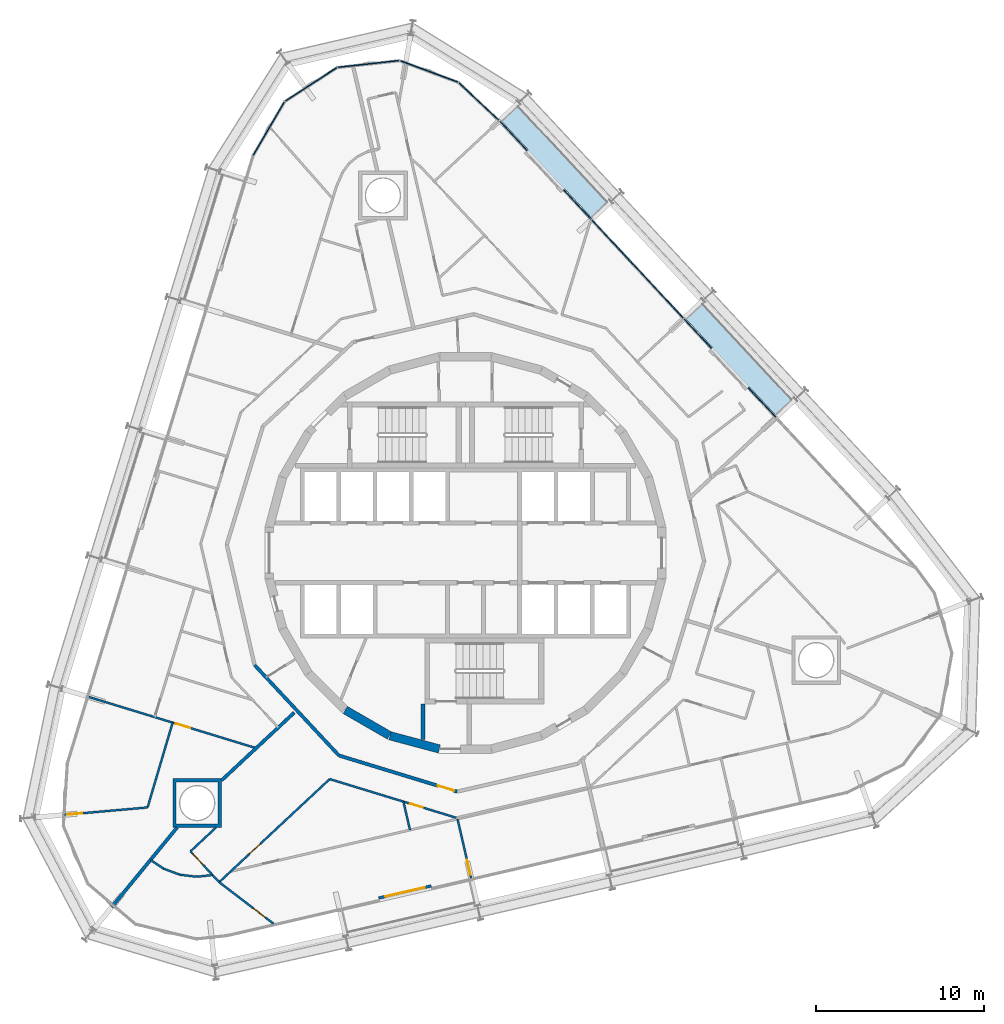
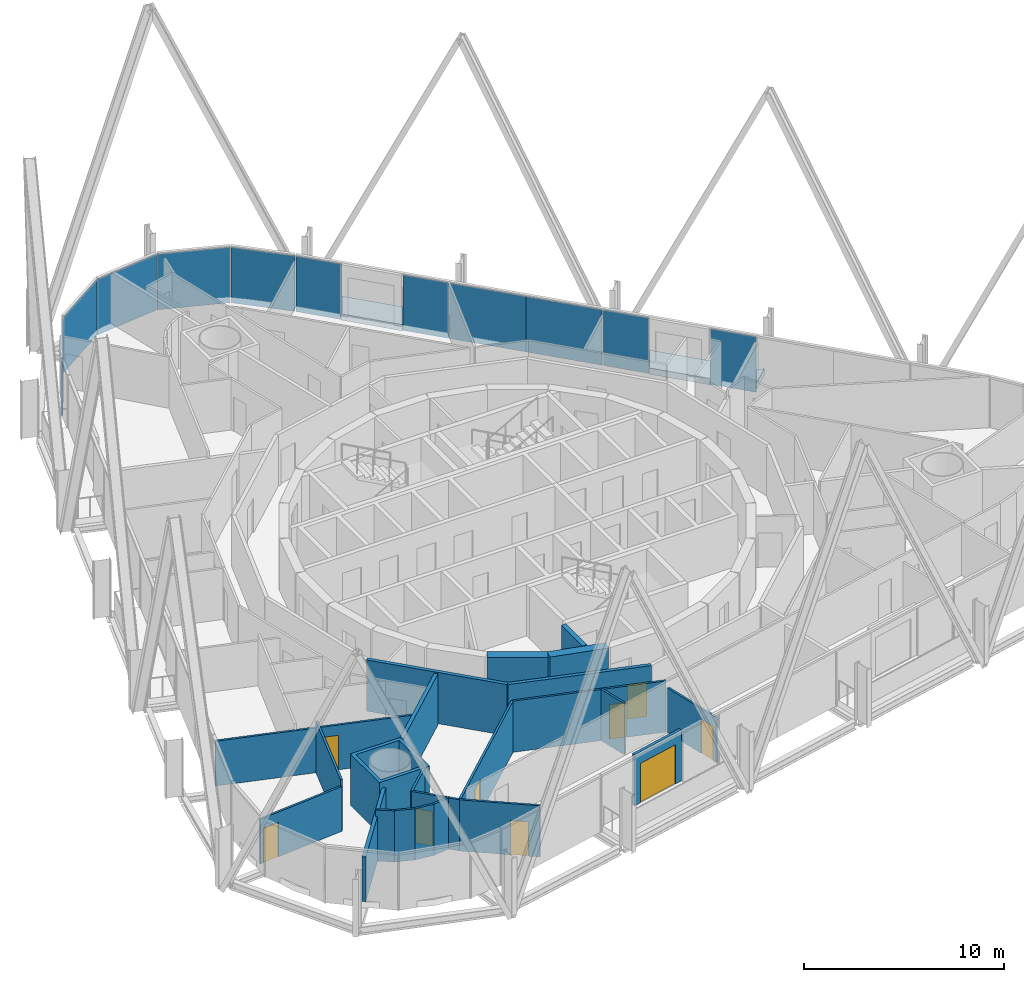
# One storey, part 11 of 18: 23 walls, 11 plates, 9 doors, 2 slabs, 9 openings, 2 elements without a shape of their own.
"""IFC4 building model written with IfcOpenShell, lengths in metres."""

from ifc_helpers import new_model, si_unit, direction, frame, frame_2d, origin, origin_2d, place, context, subcontext, project, spatial, polyline, rectangle, outline, extrude, material, layer, layer_set, type_object, element, fill, aggregate, save


model = new_model("IFC4")

# Units and contexts
model_context = context("Model", 3, precision=1e-05, world=origin(), true_north=direction((0.0, 1.0)))
body_context = subcontext(model_context, "Body", "Model", "MODEL_VIEW")
ifc_project = project(units=[si_unit("LENGTHUNIT", "METRE"), si_unit("AREAUNIT", "SQUARE_METRE"), si_unit("VOLUMEUNIT", "CUBIC_METRE"), si_unit("PLANEANGLEUNIT", "RADIAN"), si_unit("MASSUNIT", "GRAM", prefix="KILO")], contexts=[model_context])

# Site, building, storey
site_placement = place(None, origin())
site = spatial("IfcSite", under=ifc_project, at=site_placement, CompositionType="ELEMENT")
building_placement = place(site_placement, origin())
building = spatial("IfcBuilding", under=site, at=building_placement, Name="Spindle Arch Residences", CompositionType="ELEMENT")
storey_placement = place(building_placement, frame((0.0, 0.0, 127.39990234375)))
storey = spatial("IfcBuildingStorey", under=building, at=storey_placement, Name="L31", CompositionType="ELEMENT", Elevation=127.39990234375)

# Slabs
ifc_material_1 = material(Name="Concrete C40/50", Category="concrete")
ifc_layer_1 = layer(ifc_material_1, 0.3798828125)
ifc_layer_set_1 = layer_set([ifc_layer_1], Name="Balcony slab 380")
slab_type = type_object("IfcSlabType", Name="Balcony slab 380", PredefinedType="FLOOR", material=ifc_layer_set_1)
slab_1_placement = place(storey_placement, frame((0.0, 0.0, -0.3798828125)))
element("IfcSlab", 1, at=slab_1_placement, inside=storey, type_object=slab_type, Name="Balcony L31 bay 7", PredefinedType="FLOOR", context=body_context, shape_type="SweptSolid", body=[
    extrude(outline(polyline([(19.53466796875, 9.170166015625), (19.483642578125, 9.22509765625), (19.373779296875, 9.122802734375), (14.1025390625, 14.775634765625), (14.21240234375, 14.8779296875), (14.1611328125, 14.9326171875), (13.071533203125, 13.91650390625), (14.6669921875, 12.20556640625), (14.550048828125, 12.096435546875), (16.732421875, 9.756103515625), (16.849365234375, 9.865234375), (18.445068359375, 8.154052734375), (19.53466796875, 9.170166015625)])), origin(), (0.0, 0.0, 1.0), 0.3798828125),
])
slab_2_placement = place(storey_placement, frame((0.0, 0.0, -0.3798828125)))
element("IfcSlab", 2, at=slab_2_placement, inside=storey, type_object=slab_type, Name="Balcony L31 bay 9", PredefinedType="FLOOR", context=body_context, shape_type="SweptSolid", body=[
    extrude(outline(polyline([(8.5830078125, 20.91455078125), (8.53173828125, 20.969482421875), (8.422119140625, 20.8671875), (3.15087890625, 26.519775390625), (3.260498046875, 26.6220703125), (3.20947265625, 26.677001953125), (2.11962890625, 25.660888671875), (3.71533203125, 23.94970703125), (3.59814453125, 23.840576171875), (5.78076171875, 21.500244140625), (5.897705078125, 21.609375), (7.4931640625, 19.8984375), (8.5830078125, 20.91455078125)])), origin(), (0.0, 0.0, 1.0), 0.3798828125),
])

# Curtain wall, plates
ifc_material_2 = material(Name="Aluminium bronze unitised frame with tinted glass", Category="aluminium")
ifc_layer_2 = layer(ifc_material_2, 0.159912109375)
ifc_layer_set_2 = layer_set([ifc_layer_2], Name="CW-C typical residential unitised wall")
curtain_wall_type_1 = type_object("IfcCurtainWallType", Name="CW-C typical residential unitised wall", PredefinedType="NOTDEFINED", material=ifc_layer_set_2)
curtain_wall_1_placement = place(storey_placement, origin())
curtain_wall_1 = element("IfcCurtainWall", 3, at=curtain_wall_1_placement, inside=storey, type_object=curtain_wall_type_1, Name="CW-C L31 run 2", PredefinedType="NOTDEFINED")
ifc_material_3 = material(Name="Tinted double glazing over aluminium faced non-combustible spandrel zone (K0)", Category="aluminium")
ifc_layer_3 = layer(ifc_material_3, 0.06005859375)
ifc_layer_set_3 = layer_set([ifc_layer_3], Name="Unitised glass panel with E 60 spandrel zone")
plate_type = type_object("IfcPlateType", Name="Unitised glass panel with E 60 spandrel zone", PredefinedType="CURTAIN_PANEL", material=ifc_layer_set_3)
plate_1_placement = place(storey_placement, frame((17.60400390625, 8.9384765625, -0.3798828125), z_axis=(0.0, 0.0, 1.0), x_axis=(-0.681998360062, 0.731353701619, 0.0)))
plate_1 = element("IfcPlate", 4, at=plate_1_placement, type_object=plate_type, Name="CW-C unit 06L", PredefinedType="CURTAIN_PANEL", context=body_context, shape_type="SweptSolid", body=[
    extrude(rectangle(XDim=2.384521484375, YDim=0.06005859375, at=origin_2d()), origin(), (0.0, 0.0, 1.0), 3.3798828125),
])
plate_2_placement = place(storey_placement, frame((13.79541015625, 13.02294921875, -0.3798828125), z_axis=(0.0, 0.0, 1.0), x_axis=(-0.681998360062, 0.731353701619, 0.0)))
plate_2 = element("IfcPlate", 5, at=plate_2_placement, type_object=plate_type, Name="CW-C unit 06R", PredefinedType="CURTAIN_PANEL", context=body_context, shape_type="SweptSolid", body=[
    extrude(rectangle(XDim=2.384521484375, YDim=0.06005859375, at=origin_2d()), origin(), (0.0, 0.0, 1.0), 3.3798828125),
])
plate_3_placement = place(storey_placement, frame((11.58251953125, 15.395751953125, -0.3798828125), z_axis=(0.0, 0.0, 1.0), x_axis=(-0.681998360062, 0.731353701619, 0.0)))
plate_3 = element("IfcPlate", 6, at=plate_3_placement, type_object=plate_type, Name="CW-C unit 07A", PredefinedType="CURTAIN_PANEL", context=body_context, shape_type="SweptSolid", body=[
    extrude(rectangle(XDim=3.984619140625, YDim=0.06005859375, at=origin_2d()), origin(), (0.0, 0.0, 1.0), 3.3798828125),
])
plate_4_placement = place(storey_placement, frame((8.864990234375, 18.31005859375, -0.3798828125), z_axis=(0.0, 0.0, 1.0), x_axis=(-0.681998360062, 0.731353701619, 0.0)))
plate_4 = element("IfcPlate", 7, at=plate_4_placement, type_object=plate_type, Name="CW-C unit 07B", PredefinedType="CURTAIN_PANEL", context=body_context, shape_type="SweptSolid", body=[
    extrude(rectangle(XDim=3.984619140625, YDim=0.06005859375, at=origin_2d()), origin(), (0.0, 0.0, 1.0), 3.3798828125),
])
plate_5_placement = place(storey_placement, frame((6.65234375, 20.682861328125, -0.3798828125), z_axis=(0.0, 0.0, 1.0), x_axis=(-0.681998360062, 0.731353701619, 0.0)))
plate_5 = element("IfcPlate", 8, at=plate_5_placement, type_object=plate_type, Name="CW-C unit 08L", PredefinedType="CURTAIN_PANEL", context=body_context, shape_type="SweptSolid", body=[
    extrude(rectangle(XDim=2.384521484375, YDim=0.06005859375, at=origin_2d()), origin(), (0.0, 0.0, 1.0), 3.3798828125),
])
plate_6_placement = place(storey_placement, frame((2.84375, 24.767333984375, -0.3798828125), z_axis=(0.0, 0.0, 1.0), x_axis=(-0.681998360062, 0.731353701619, 0.0)))
plate_6 = element("IfcPlate", 9, at=plate_6_placement, type_object=plate_type, Name="CW-C unit 08R", PredefinedType="CURTAIN_PANEL", context=body_context, shape_type="SweptSolid", body=[
    extrude(rectangle(XDim=2.384521484375, YDim=0.06005859375, at=origin_2d()), origin(), (0.0, 0.0, 1.0), 3.3798828125),
])
aggregate(curtain_wall_1, [plate_1, plate_2, plate_3, plate_4, plate_5, plate_6])

ifc_material_4 = material(Name="Aluminium bronze unitised frame with tinted glass", Category="aluminium")
ifc_layer_4 = layer(ifc_material_4, 0.159912109375)
ifc_layer_set_4 = layer_set([ifc_layer_4], Name="CW-D corner wall on the fillet arcs")
curtain_wall_type_2 = type_object("IfcCurtainWallType", Name="CW-D corner wall on the fillet arcs", PredefinedType="NOTDEFINED", material=ifc_layer_set_4)
curtain_wall_2_placement = place(storey_placement, origin())
curtain_wall_2 = element("IfcCurtainWall", 10, at=curtain_wall_2_placement, inside=storey, type_object=curtain_wall_type_2, Name="CW-D L31 run 3", PredefinedType="NOTDEFINED")
plate_7_placement = place(storey_placement, frame((0.794677734375, 26.8046875, -0.3798828125), z_axis=(0.0, 0.0, 1.0), x_axis=(-0.728270412102, 0.685289870681, 0.0)))
plate_7 = element("IfcPlate", 11, at=plate_7_placement, type_object=plate_type, Name="CW-D unit 00", PredefinedType="CURTAIN_PANEL", context=body_context, shape_type="SweptSolid", body=[
    extrude(rectangle(XDim=3.277587890625, YDim=0.06005859375, at=origin_2d()), origin(), (0.0, 0.0, 1.0), 3.3798828125),
])
plate_8_placement = place(storey_placement, frame((-2.16796875, 28.595703125, -0.3798828125), z_axis=(0.0, 0.0, 1.0), x_axis=(-0.937686936403, 0.347481235896, 0.0)))
plate_8 = element("IfcPlate", 12, at=plate_8_placement, type_object=plate_type, Name="CW-D unit 01", PredefinedType="CURTAIN_PANEL", context=body_context, shape_type="SweptSolid", body=[
    extrude(rectangle(XDim=3.666748046875, YDim=0.06005859375, at=origin_2d()), origin(), (0.0, 0.0, 1.0), 3.3798828125),
])
plate_9_placement = place(storey_placement, frame((-5.76708984375, 29.037841796875, -0.3798828125), z_axis=(0.0, 0.0, 1.0), x_axis=(-0.993896946294, -0.110312556619, 0.0)))
plate_9 = element("IfcPlate", 13, at=plate_9_placement, type_object=plate_type, Name="CW-D unit 02", PredefinedType="CURTAIN_PANEL", context=body_context, shape_type="SweptSolid", body=[
    extrude(rectangle(XDim=3.666748046875, YDim=0.06005859375, at=origin_2d()), origin(), (0.0, 0.0, 1.0), 3.3798828125),
])
plate_10_placement = place(storey_placement, frame((-9.181884765625, 27.8173828125, -0.3798828125), z_axis=(0.0, 0.0, 1.0), x_axis=(-0.838670567755, -0.544639035308, 0.0)))
plate_10 = element("IfcPlate", 14, at=plate_10_placement, type_object=plate_type, Name="CW-D unit 03", PredefinedType="CURTAIN_PANEL", context=body_context, shape_type="SweptSolid", body=[
    extrude(rectangle(XDim=3.666748046875, YDim=0.06005859375, at=origin_2d()), origin(), (0.0, 0.0, 1.0), 3.3798828125),
])
plate_11_placement = place(storey_placement, frame((-11.685791015625, 25.194091796875, -0.3798828125), z_axis=(0.0, 0.0, 1.0), x_axis=(-0.505029844161, -0.863101880723, 0.0)))
plate_11 = element("IfcPlate", 15, at=plate_11_placement, type_object=plate_type, Name="CW-D unit 04", PredefinedType="CURTAIN_PANEL", context=body_context, shape_type="SweptSolid", body=[
    extrude(rectangle(XDim=3.666748046875, YDim=0.06005859375, at=origin_2d()), origin(), (0.0, 0.0, 1.0), 3.3798828125),
])
aggregate(curtain_wall_2, [plate_7, plate_8, plate_9, plate_10, plate_11])

# Walls
ifc_material_5 = material(Name="Concrete C50/60", Category="concrete")
ifc_layer_5 = layer(ifc_material_5, 0.5)
ifc_layer_set_5 = layer_set([ifc_layer_5], Name="Core outline wall 500")
wall_type_1 = type_object("IfcWallType", Name="Core outline wall 500", PredefinedType="SHEAR", material=ifc_layer_set_5)
for number, where, z_axis, x_axis, name in (
    (16, (-7.13671875, -9.32861328125, 0.0), (0.0, 0.0, 1.0), (0.865975092491, -0.500087131594, 0.0), "Core outline wall 22"),
    (17, (-4.479248046875, -10.858154296875, 0.0), (0.0, 0.0, 1.0), (0.965948410781, -0.258734743916, 0.0), "Core outline wall 23"),
):
    element("IfcWall", number, at=place(storey_placement, frame(where, z_axis=z_axis, x_axis=x_axis)), inside=storey, type_object=wall_type_1, Name=name, PredefinedType="SHEAR", context=body_context, shape_type="SweptSolid", body=[
        extrude(rectangle(XDim=3.03271484375, YDim=0.5, at=frame_2d((1.516357421875, 0.0))), origin(), (0.0, 0.0, 1.0), 3.1201171875),
    ])
ifc_material_6 = material(Name="Calcium silicate block, plastered")
ifc_layer_6 = layer(ifc_material_6, 0.199951171875)
ifc_layer_set_6 = layer_set([ifc_layer_6], Name="Corridor wall 200")
wall_type_2 = type_object("IfcWallType", Name="Corridor wall 200", PredefinedType="STANDARD", material=ifc_layer_set_6)
wall_1_placement = place(storey_placement, frame((-12.523193359375, -6.65869140625, 0.0), z_axis=(0.0, 0.0, 1.0), x_axis=(0.682001841105, -0.731350455479, 0.0)))
element("IfcWall", 18, at=wall_1_placement, inside=storey, type_object=wall_type_2, Name="Corridor wall R3B0-W012", PredefinedType="STANDARD", context=body_context, shape_type="SweptSolid", body=[
    extrude(rectangle(XDim=7.341796875, YDim=0.199951171875, at=frame_2d((3.6708984375, 0.0))), origin(), (0.0, 0.0, 1.0), 3.1201171875),
])

# Wall, opening, door
wall_2_placement = place(storey_placement, frame((-7.51611328125, -12.028076171875, 0.0), z_axis=(0.0, 0.0, 1.0), x_axis=(0.956306642771, -0.292365533182, 0.0)))
wall_2 = element("IfcWall", 19, at=wall_2_placement, inside=storey, type_object=wall_type_2, Name="Corridor wall R3B0-W013", PredefinedType="STANDARD", context=body_context, shape_type="SweptSolid", body=[
    extrude(rectangle(XDim=7.341796875, YDim=0.199951171875, at=frame_2d((3.6708984375, 0.0))), origin(), (0.0, 0.0, 1.0), 3.1201171875),
])
opening_1_placement = place(wall_2_placement, frame((6.141845703125, 0.0, 0.0)))
opening_1 = element("IfcOpeningElement", 20, at=opening_1_placement, cuts=wall_2, Name="Opening R3B0-FD04", PredefinedType="OPENING", context=body_context, shape_type="SweptSolid", body=[
    extrude(rectangle(XDim=1.0, YDim=2.10009765625, at=frame_2d((0.5, 1.050048828125))), frame((0.0, 0.10986328125, 0.0), z_axis=(0.0, -1.0, 0.0), x_axis=(1.0, 0.0, 0.0)), (0.0, 0.0, 1.0), 0.219970703125),
])
ifc_material_7 = material(Name="Timber, fire-resisting door set", Category="wood")
door_type_1 = type_object("IfcDoorType", Name="Flat entrance door 1000x2100", OperationType="NOTDEFINED", PredefinedType="DOOR", material=ifc_material_7)
door_1_placement = place(opening_1_placement, origin())
door_1 = element("IfcDoor", 21, at=door_1_placement, inside=storey, type_object=door_type_1, Name="Flat entrance door R3B0-FD04", OperationType="SINGLE_SWING_LEFT", OverallHeight=2.10009765625, OverallWidth=1.0, PredefinedType="DOOR", context=body_context, shape_type="SweptSolid", body=[
    extrude(rectangle(XDim=1.0, YDim=2.10009765625, at=frame_2d((0.5, 1.050048828125))), frame((0.0, 0.02490234375, 0.0), z_axis=(0.0, -1.0, 0.0), x_axis=(1.0, 0.0, 0.0)), (0.0, 0.0, 1.0), 0.050048828125),
])
fill(opening_1, door_1)

# Walls
ifc_material_8 = material(Name="Plasterboard on steel studs", Category="steel")
ifc_layer_7 = layer(ifc_material_8, 0.1201171875)
ifc_layer_set_7 = layer_set([ifc_layer_7], Name="Flat partition 120")
wall_type_3 = type_object("IfcWallType", Name="Flat partition 120", PredefinedType="PARTITIONING", material=ifc_layer_set_7)
wall_3_placement = place(storey_placement, frame((-18.8779296875, -15.115234375, 0.0), z_axis=(0.0, 0.0, 1.0), x_axis=(0.283491828289, 0.95897465206, 0.0)))
element("IfcWall", 22, at=wall_3_placement, inside=storey, type_object=wall_type_3, Name="Flat partition R3B0-W071", PredefinedType="PARTITIONING", context=body_context, shape_type="SweptSolid", body=[
    extrude(rectangle(XDim=5.254150390625, YDim=0.1201171875, at=frame_2d((2.626953125, 0.0))), origin(), (0.0, 0.0, 1.0), 3.1201171875),
])
wall_4_placement = place(storey_placement, frame((-14.81005859375, -16.30517578125, 0.0), z_axis=(0.0, 0.0, 1.0), x_axis=(-0.73134426424, -0.682008480272, 0.0)))
element("IfcWall", 23, at=wall_4_placement, inside=storey, type_object=wall_type_3, Name="Flat partition R3B0-W072", PredefinedType="PARTITIONING", context=body_context, shape_type="SweptSolid", body=[
    extrude(rectangle(XDim=2.078369140625, YDim=0.1201171875, at=frame_2d((1.0390625, 0.0))), origin(), (0.0, 0.0, 1.0), 3.1201171875),
])

# Wall, opening, door
wall_5_placement = place(storey_placement, frame((-16.330078125, -17.72265625, 0.0), z_axis=(0.0, 0.0, 1.0), x_axis=(0.682018966854, -0.731334484933, 0.0)))
wall_5 = element("IfcWall", 24, at=wall_5_placement, inside=storey, type_object=wall_type_3, Name="Flat partition R3B0-W073", PredefinedType="PARTITIONING", context=body_context, shape_type="SweptSolid", body=[
    extrude(rectangle(XDim=2.5, YDim=0.1201171875, at=frame_2d((1.25, 0.0))), origin(), (0.0, 0.0, 1.0), 3.1201171875),
])
opening_2_placement = place(wall_5_placement, frame((0.199951171875, 0.0, 0.0)))
opening_2 = element("IfcOpeningElement", 25, at=opening_2_placement, cuts=wall_5, Name="Opening R3B0-ID19", PredefinedType="OPENING", context=body_context, shape_type="SweptSolid", body=[
    extrude(rectangle(XDim=0.89990234375, YDim=2.10009765625, at=frame_2d((0.449951171875, 1.050048828125))), frame((0.0, 0.070068359375, 0.0), z_axis=(0.0, -1.0, 0.0), x_axis=(1.0, 0.0, 0.0)), (0.0, 0.0, 1.0), 0.14013671875),
])
ifc_material_9 = material(Name="Timber door set", Category="wood")
door_type_2 = type_object("IfcDoorType", Name="Room door 900x2100", OperationType="NOTDEFINED", PredefinedType="DOOR", material=ifc_material_9)
door_2_placement = place(opening_2_placement, origin())
door_2 = element("IfcDoor", 26, at=door_2_placement, inside=storey, type_object=door_type_2, Name="Room door R3B0-ID19", OperationType="SINGLE_SWING_LEFT", OverallHeight=2.10009765625, OverallWidth=0.89990234375, PredefinedType="DOOR", context=body_context, shape_type="SweptSolid", body=[
    extrude(rectangle(XDim=0.89990234375, YDim=2.10009765625, at=frame_2d((0.449951171875, 1.050048828125))), frame((0.0, 0.02490234375, 0.0), z_axis=(0.0, -1.0, 0.0), x_axis=(1.0, 0.0, 0.0)), (0.0, 0.0, 1.0), 0.050048828125),
])
fill(opening_2, door_2)

wall_6_placement = place(storey_placement, frame((-14.625, -19.551025390625, 0.0), z_axis=(0.0, 0.0, 1.0), x_axis=(0.731348282704, 0.682004171091, 0.0)))
wall_6 = element("IfcWall", 27, at=wall_6_placement, inside=storey, type_object=wall_type_3, Name="Flat partition R3B0-W074", PredefinedType="PARTITIONING", context=body_context, shape_type="SweptSolid", body=[
    extrude(rectangle(XDim=8.97509765625, YDim=0.1201171875, at=frame_2d((4.487548828125, 0.0))), origin(), (0.0, 0.0, 1.0), 3.1201171875),
])
opening_3_placement = place(wall_6_placement, frame((2.4384765625, 0.0, 0.0)))
opening_3 = element("IfcOpeningElement", 28, at=opening_3_placement, cuts=wall_6, Name="Opening R3B0-ID20", PredefinedType="OPENING", context=body_context, shape_type="SweptSolid", body=[
    extrude(rectangle(XDim=0.89990234375, YDim=2.10009765625, at=frame_2d((0.449951171875, 1.050048828125))), frame((0.0, 0.070068359375, 0.0), z_axis=(0.0, -1.0, 0.0), x_axis=(1.0, 0.0, 0.0)), (0.0, 0.0, 1.0), 0.14013671875),
])
door_3_placement = place(opening_3_placement, origin())
door_3 = element("IfcDoor", 29, at=door_3_placement, inside=storey, type_object=door_type_2, Name="Room door R3B0-ID20", OperationType="SINGLE_SWING_LEFT", OverallHeight=2.10009765625, OverallWidth=0.89990234375, PredefinedType="DOOR", context=body_context, shape_type="SweptSolid", body=[
    extrude(rectangle(XDim=0.89990234375, YDim=2.10009765625, at=frame_2d((0.449951171875, 1.050048828125))), frame((0.0, 0.02490234375, 0.0), z_axis=(0.0, -1.0, 0.0), x_axis=(1.0, 0.0, 0.0)), (0.0, 0.0, 1.0), 0.050048828125),
])
fill(opening_3, door_3)

wall_7_placement = place(storey_placement, frame((-8.06103515625, -13.429931640625, 0.0), z_axis=(0.0, 0.0, 1.0), x_axis=(0.956302336653, -0.292379617814, 0.0)))
wall_7 = element("IfcWall", 30, at=wall_7_placement, inside=storey, type_object=wall_type_3, Name="Flat partition R3B0-W075", PredefinedType="PARTITIONING", context=body_context, shape_type="SweptSolid", body=[
    extrude(rectangle(XDim=7.85498046875, YDim=0.1201171875, at=frame_2d((3.927490234375, 0.0))), origin(), (0.0, 0.0, 1.0), 3.1201171875),
])
opening_4_placement = place(wall_7_placement, frame((4.978515625, 0.0, 0.0)))
opening_4 = element("IfcOpeningElement", 31, at=opening_4_placement, cuts=wall_7, Name="Opening R3B0-BD05", PredefinedType="OPENING", context=body_context, shape_type="SweptSolid", body=[
    extrude(rectangle(XDim=0.800048828125, YDim=2.10009765625, at=frame_2d((0.39990234375, 1.050048828125))), frame((0.0, 0.070068359375, 0.0), z_axis=(0.0, -1.0, 0.0), x_axis=(1.0, 0.0, 0.0)), (0.0, 0.0, 1.0), 0.14013671875),
])
ifc_material_10 = material(Name="Timber door set", Category="wood")
door_type_3 = type_object("IfcDoorType", Name="Bathroom door 800x2100", OperationType="NOTDEFINED", PredefinedType="DOOR", material=ifc_material_10)
door_4_placement = place(opening_4_placement, origin())
door_4 = element("IfcDoor", 32, at=door_4_placement, inside=storey, type_object=door_type_3, Name="Bathroom door R3B0-BD05", OperationType="SINGLE_SWING_LEFT", OverallHeight=2.10009765625, OverallWidth=0.800048828125, PredefinedType="DOOR", context=body_context, shape_type="SweptSolid", body=[
    extrude(rectangle(XDim=0.800048828125, YDim=2.10009765625, at=frame_2d((0.39990234375, 1.050048828125))), frame((0.0, 0.02490234375, 0.0), z_axis=(0.0, -1.0, 0.0), x_axis=(1.0, 0.0, 0.0)), (0.0, 0.0, 1.0), 0.050048828125),
])
fill(opening_4, door_4)

# Walls
wall_8_placement = place(storey_placement, frame((-18.703125, -18.22998046875, 0.0), z_axis=(0.0, 0.0, 1.0), x_axis=(0.832328473933, -0.554282699965, 0.0)))
element("IfcWall", 33, at=wall_8_placement, inside=storey, type_object=wall_type_3, Name="Flat partition R3B0-W077", PredefinedType="PARTITIONING", context=body_context, shape_type="SweptSolid", body=[
    extrude(rectangle(XDim=0.94482421875, YDim=0.1201171875, at=frame_2d((0.472412109375, 0.0))), origin(), (0.0, 0.0, 1.0), 3.1201171875),
])
wall_9_placement = place(storey_placement, frame((-17.916748046875, -18.753662109375, 0.0), z_axis=(0.0, 0.0, 1.0), x_axis=(0.937684971769, -0.347486537462, 0.0)))
element("IfcWall", 34, at=wall_9_placement, inside=storey, type_object=wall_type_3, Name="Flat partition R3B0-W078", PredefinedType="PARTITIONING", context=body_context, shape_type="SweptSolid", body=[
    extrude(rectangle(XDim=1.015869140625, YDim=0.1201171875, at=frame_2d((0.5078125, 0.0))), origin(), (0.0, 0.0, 1.0), 3.1201171875),
])
wall_10_placement = place(storey_placement, frame((-16.964111328125, -19.106689453125, 0.0), z_axis=(0.0, 0.0, 1.0), x_axis=(0.992523553766, -0.122053247474, 0.0)))
element("IfcWall", 35, at=wall_10_placement, inside=storey, type_object=wall_type_3, Name="Flat partition R3B0-W079", PredefinedType="PARTITIONING", context=body_context, shape_type="SweptSolid", body=[
    extrude(rectangle(XDim=1.01611328125, YDim=0.1201171875, at=frame_2d((0.508056640625, 0.0))), origin(), (0.0, 0.0, 1.0), 3.1201171875),
])
wall_11_placement = place(storey_placement, frame((-15.95556640625, -19.230712890625, 0.0), z_axis=(0.0, 0.0, 1.0), x_axis=(0.993867897435, 0.110573968218, 0.0)))
element("IfcWall", 36, at=wall_11_placement, inside=storey, type_object=wall_type_3, Name="Flat partition R3B0-W080", PredefinedType="PARTITIONING", context=body_context, shape_type="SweptSolid", body=[
    extrude(rectangle(XDim=0.940673828125, YDim=0.1201171875, at=frame_2d((0.47021484375, 0.0))), origin(), (0.0, 0.0, 1.0), 3.1201171875),
])

# Wall, opening, door
wall_12_placement = place(storey_placement, frame((-11.397216796875, -22.01904296875, 0.0), z_axis=(0.0, 0.0, 1.0), x_axis=(-0.794391941464, 0.60740550157, 0.0)))
wall_12 = element("IfcWall", 37, at=wall_12_placement, inside=storey, type_object=wall_type_3, Name="Flat partition R3B0-W081", PredefinedType="PARTITIONING", context=body_context, shape_type="SweptSolid", body=[
    extrude(rectangle(XDim=4.063232421875, YDim=0.1201171875, at=frame_2d((2.03173828125, 0.0))), origin(), (0.0, 0.0, 1.0), 3.1201171875),
])
opening_5_placement = place(wall_12_placement, frame((0.60009765625, 0.0, 0.0)))
opening_5 = element("IfcOpeningElement", 38, at=opening_5_placement, cuts=wall_12, Name="Opening R3B0-ID22", PredefinedType="OPENING", context=body_context, shape_type="SweptSolid", body=[
    extrude(rectangle(XDim=0.89990234375, YDim=2.10009765625, at=frame_2d((0.449951171875, 1.050048828125))), frame((0.0, 0.070068359375, 0.0), z_axis=(0.0, -1.0, 0.0), x_axis=(1.0, 0.0, 0.0)), (0.0, 0.0, 1.0), 0.14013671875),
])
door_5_placement = place(opening_5_placement, origin())
door_5 = element("IfcDoor", 39, at=door_5_placement, inside=storey, type_object=door_type_2, Name="Room door R3B0-ID22", OperationType="SINGLE_SWING_LEFT", OverallHeight=2.10009765625, OverallWidth=0.89990234375, PredefinedType="DOOR", context=body_context, shape_type="SweptSolid", body=[
    extrude(rectangle(XDim=0.89990234375, YDim=2.10009765625, at=frame_2d((0.449951171875, 1.050048828125))), frame((0.0, 0.02490234375, 0.0), z_axis=(0.0, -1.0, 0.0), x_axis=(1.0, 0.0, 0.0)), (0.0, 0.0, 1.0), 0.050048828125),
])
fill(opening_5, door_5)

# Wall
wall_13_placement = place(storey_placement, frame((-3.293701171875, -16.45361328125, 0.0), z_axis=(0.0, 0.0, 1.0), x_axis=(-0.224890438003, 0.974384057184, 0.0)))
element("IfcWall", 40, at=wall_13_placement, inside=storey, type_object=wall_type_3, Name="Flat partition R3B0-W083", PredefinedType="PARTITIONING", context=body_context, shape_type="SweptSolid", body=[
    extrude(rectangle(XDim=1.729248046875, YDim=0.1201171875, at=frame_2d((0.86474609375, 0.0))), origin(), (0.0, 0.0, 1.0), 3.1201171875),
])

# Wall, opening, door
ifc_material_11 = material(Name="Plasterboard on steel studs", Category="steel")
ifc_layer_8 = layer(ifc_material_11, 0.1201171875)
ifc_layer_set_8 = layer_set([ifc_layer_8], Name="Flat partition 120 under beam 2730")
wall_type_4 = type_object("IfcWallType", Name="Flat partition 120 under beam 2730", PredefinedType="PARTITIONING", material=ifc_layer_set_8)
wall_14_placement = place(storey_placement, frame((-22.369140625, -8.5537109375, 0.0), z_axis=(0.0, 0.0, 1.0), x_axis=(0.956298667533, -0.292391618339, 0.0)))
wall_14 = element("IfcWall", 41, at=wall_14_placement, inside=storey, type_object=wall_type_4, Name="Flat partition R3B0-W067", PredefinedType="PARTITIONING", context=body_context, shape_type="SweptSolid", body=[
    extrude(rectangle(XDim=10.39208984375, YDim=0.1201171875, at=frame_2d((5.196044921875, 0.0))), origin(), (0.0, 0.0, 1.0), 2.72998046875),
])
opening_6_placement = place(wall_14_placement, frame((5.408447265625, 0.0, 0.0)))
opening_6 = element("IfcOpeningElement", 42, at=opening_6_placement, cuts=wall_14, Name="Opening R3B0-ID17", PredefinedType="OPENING", context=body_context, shape_type="SweptSolid", body=[
    extrude(rectangle(XDim=0.89990234375, YDim=2.10009765625, at=frame_2d((0.449951171875, 1.050048828125))), frame((0.0, 0.070068359375, 0.0), z_axis=(0.0, -1.0, 0.0), x_axis=(1.0, 0.0, 0.0)), (0.0, 0.0, 1.0), 0.14013671875),
])
door_6_placement = place(opening_6_placement, origin())
door_6 = element("IfcDoor", 43, at=door_6_placement, inside=storey, type_object=door_type_2, Name="Room door R3B0-ID17", OperationType="SINGLE_SWING_RIGHT", OverallHeight=2.10009765625, OverallWidth=0.89990234375, PredefinedType="DOOR", context=body_context, shape_type="SweptSolid", body=[
    extrude(rectangle(XDim=0.89990234375, YDim=2.10009765625, at=frame_2d((0.449951171875, 1.050048828125))), frame((0.0, 0.02490234375, 0.0), z_axis=(0.0, -1.0, 0.0), x_axis=(1.0, 0.0, 0.0)), (0.0, 0.0, 1.0), 0.050048828125),
])
fill(opening_6, door_6)

wall_15_placement = place(storey_placement, frame((-23.850341796875, -15.55419921875, 0.0), z_axis=(0.0, 0.0, 1.0), x_axis=(0.996125944733, 0.087938059048, 0.0)))
wall_15 = element("IfcWall", 44, at=wall_15_placement, inside=storey, type_object=wall_type_4, Name="Flat partition R3B0-W070", PredefinedType="PARTITIONING", context=body_context, shape_type="SweptSolid", body=[
    extrude(rectangle(XDim=4.99169921875, YDim=0.1201171875, at=frame_2d((2.495849609375, 0.0))), origin(), (0.0, 0.0, 1.0), 2.72998046875),
])
opening_7_placement = place(wall_15_placement, frame((0.199951171875, 0.0, 0.0)))
opening_7 = element("IfcOpeningElement", 45, at=opening_7_placement, cuts=wall_15, Name="Opening R3B0-ID18", PredefinedType="OPENING", context=body_context, shape_type="SweptSolid", body=[
    extrude(rectangle(XDim=0.89990234375, YDim=2.10009765625, at=frame_2d((0.449951171875, 1.050048828125))), frame((0.0, 0.070068359375, 0.0), z_axis=(0.0, -1.0, 0.0), x_axis=(1.0, 0.0, 0.0)), (0.0, 0.0, 1.0), 0.14013671875),
])
door_7_placement = place(opening_7_placement, origin())
door_7 = element("IfcDoor", 46, at=door_7_placement, inside=storey, type_object=door_type_2, Name="Room door R3B0-ID18", OperationType="SINGLE_SWING_LEFT", OverallHeight=2.10009765625, OverallWidth=0.89990234375, PredefinedType="DOOR", context=body_context, shape_type="SweptSolid", body=[
    extrude(rectangle(XDim=0.89990234375, YDim=2.10009765625, at=frame_2d((0.449951171875, 1.050048828125))), frame((0.0, 0.02490234375, 0.0), z_axis=(0.0, -1.0, 0.0), x_axis=(1.0, 0.0, 0.0)), (0.0, 0.0, 1.0), 0.050048828125),
])
fill(opening_7, door_7)

wall_16_placement = place(storey_placement, frame((0.337890625, -19.309814453125, 0.0), z_axis=(0.0, 0.0, 1.0), x_axis=(-0.224943703639, 0.9743717618, 0.0)))
wall_16 = element("IfcWall", 47, at=wall_16_placement, inside=storey, type_object=wall_type_4, Name="Flat partition R3B0-W084", PredefinedType="PARTITIONING", context=body_context, shape_type="SweptSolid", body=[
    extrude(rectangle(XDim=3.60009765625, YDim=0.1201171875, at=frame_2d((1.800048828125, 0.0))), origin(), (0.0, 0.0, 1.0), 2.72998046875),
])
opening_8_placement = place(wall_16_placement, frame((0.199951171875, 0.0, 0.0)))
opening_8 = element("IfcOpeningElement", 48, at=opening_8_placement, cuts=wall_16, Name="Opening R3B0-ID23", PredefinedType="OPENING", context=body_context, shape_type="SweptSolid", body=[
    extrude(rectangle(XDim=0.89990234375, YDim=2.10009765625, at=frame_2d((0.449951171875, 1.050048828125))), frame((0.0, 0.070068359375, 0.0), z_axis=(0.0, -1.0, 0.0), x_axis=(1.0, 0.0, 0.0)), (0.0, 0.0, 1.0), 0.14013671875),
])
door_8_placement = place(opening_8_placement, origin())
door_8 = element("IfcDoor", 49, at=door_8_placement, inside=storey, type_object=door_type_2, Name="Room door R3B0-ID23", OperationType="SINGLE_SWING_RIGHT", OverallHeight=2.10009765625, OverallWidth=0.89990234375, PredefinedType="DOOR", context=body_context, shape_type="SweptSolid", body=[
    extrude(rectangle(XDim=0.89990234375, YDim=2.10009765625, at=frame_2d((0.449951171875, 1.050048828125))), frame((0.0, 0.02490234375, 0.0), z_axis=(0.0, -1.0, 0.0), x_axis=(1.0, 0.0, 0.0)), (0.0, 0.0, 1.0), 0.050048828125),
])
fill(opening_8, door_8)

# Walls
ifc_material_12 = material(Name="Calcium silicate block, plastered")
ifc_layer_9 = layer(ifc_material_12, 0.199951171875)
ifc_layer_set_9 = layer_set([ifc_layer_9], Name="Flat party wall 200")
wall_type_5 = type_object("IfcWallType", Name="Flat party wall 200", PredefinedType="STANDARD", material=ifc_layer_set_9)
wall_17_placement = place(storey_placement, frame((-14.4794921875, -13.50390625, 0.0), z_axis=(0.0, 0.0, 1.0), x_axis=(0.731329393611, 0.682024426278, 0.0)))
element("IfcWall", 50, at=wall_17_placement, inside=storey, type_object=wall_type_5, Name="Flat party wall R3B0-W020", PredefinedType="STANDARD", context=body_context, shape_type="SweptSolid", body=[
    extrude(rectangle(XDim=5.892333984375, YDim=0.199951171875, at=frame_2d((2.9462890625, 0.0))), origin(), (0.0, 0.0, 1.0), 3.1201171875),
])
ifc_material_13 = material(Name="Calcium silicate block, plastered")
ifc_layer_10 = layer(ifc_material_13, 0.199951171875)
ifc_layer_set_10 = layer_set([ifc_layer_10], Name="Flat party wall 200 under beam 2730")
wall_type_6 = type_object("IfcWallType", Name="Flat party wall 200 under beam 2730", PredefinedType="STANDARD", material=ifc_layer_set_10)
wall_18_placement = place(storey_placement, frame((-21.0, -21.025390625, 0.0), z_axis=(0.0, 0.0, 1.0), x_axis=(0.634846795952, 0.772638043116, 0.0)))
element("IfcWall", 51, at=wall_18_placement, inside=storey, type_object=wall_type_6, Name="Flat party wall R3B0-W021", PredefinedType="STANDARD", context=body_context, shape_type="SweptSolid", body=[
    extrude(rectangle(XDim=6.109130859375, YDim=0.199951171875, at=frame_2d((3.0546875, 0.0))), origin(), (0.0, 0.0, 1.0), 2.72998046875),
])

# Wall, opening, door
ifc_material_14 = material(Name="Non-combustible mineral wool insulated aluminium faced external wall (K0)", Category="aluminium")
ifc_layer_11 = layer(ifc_material_14, 0.159912109375)
ifc_layer_set_11 = layer_set([ifc_layer_11], Name="Insulated external wall panel 160")
wall_type_7 = type_object("IfcWallType", Name="Insulated external wall panel 160", PredefinedType="STANDARD", material=ifc_layer_set_11)
wall_19_placement = place(storey_placement, frame((-5.15087890625, -20.494873046875, 0.0), z_axis=(0.0, 0.0, 1.0), x_axis=(0.974377048991, 0.224920800284, 0.0)))
wall_19 = element("IfcWall", 52, at=wall_19_placement, inside=storey, type_object=wall_type_7, Name="External wall L31 bay 21", PredefinedType="STANDARD", context=body_context, shape_type="SweptSolid", body=[
    extrude(rectangle(XDim=3.199951171875, YDim=0.159912109375, at=frame_2d((1.60009765625, 0.0))), origin(), (0.0, 0.0, 1.0), 3.1201171875),
])
opening_9_placement = place(wall_19_placement, frame((0.39990234375, 0.0, 0.0)))
opening_9 = element("IfcOpeningElement", 53, at=opening_9_placement, cuts=wall_19, Name="Opening BD21", PredefinedType="OPENING", context=body_context, shape_type="SweptSolid", body=[
    extrude(rectangle(XDim=2.39990234375, YDim=2.39990234375, at=frame_2d((1.199951171875, 1.199951171875))), frame((0.0, 0.08984375, 0.0), z_axis=(0.0, -1.0, 0.0), x_axis=(1.0, 0.0, 0.0)), (0.0, 0.0, 1.0), 0.179931640625),
])
ifc_material_15 = material(Name="Bronze aluminium frame, tinted double glazing", Category="aluminium")
door_type_4 = type_object("IfcDoorType", Name="Sliding glazed balcony door 2400x2400", OperationType="DOUBLE_DOOR_SLIDING", PredefinedType="DOOR", material=ifc_material_15)
door_9_placement = place(opening_9_placement, origin())
door_9 = element("IfcDoor", 54, at=door_9_placement, inside=storey, type_object=door_type_4, Name="Balcony door BD21", OperationType="DOUBLE_DOOR_SLIDING", OverallHeight=2.39990234375, OverallWidth=2.39990234375, PredefinedType="DOOR", context=body_context, shape_type="SweptSolid", body=[
    extrude(rectangle(XDim=2.39990234375, YDim=2.39990234375, at=frame_2d((1.199951171875, 1.199951171875))), frame((0.0, 0.02490234375, 0.0), z_axis=(0.0, -1.0, 0.0), x_axis=(1.0, 0.0, 0.0)), (0.0, 0.0, 1.0), 0.050048828125),
])
fill(opening_9, door_9)

# Walls
ifc_material_16 = material(Name="Calcium silicate block, plastered")
ifc_layer_12 = layer(ifc_material_16, 0.199951171875)
ifc_layer_set_12 = layer_set([ifc_layer_12], Name="Mega-column casing wall 200")
wall_type_8 = type_object("IfcWallType", Name="Mega-column casing wall 200", PredefinedType="STANDARD", material=ifc_layer_set_12)
wall_20_placement = place(storey_placement, origin())
element("IfcWall", 55, at=wall_20_placement, inside=storey, type_object=wall_type_8, Name="Mega-column casing wall R3B0-WC02", PredefinedType="STANDARD", context=body_context, shape_type="SweptSolid", body=[
    extrude(outline(polyline([(-14.480224609375, -13.4052734375), (-14.480224609375, -16.30517578125), (-17.380126953125, -16.30517578125), (-17.380126953125, -13.4052734375), (-14.480224609375, -13.4052734375)]), holes=[polyline([(-17.18017578125, -16.105224609375), (-14.68017578125, -16.105224609375), (-14.68017578125, -13.605224609375), (-17.18017578125, -13.605224609375), (-17.18017578125, -16.105224609375)])]), origin(), (0.0, 0.0, 1.0), 3.1201171875),
])
ifc_material_17 = material(Name="Concrete C40/50", Category="concrete")
ifc_layer_13 = layer(ifc_material_17, 0.25)
ifc_layer_set_13 = layer_set([ifc_layer_13], Name="Stair airlock wall 250")
wall_type_9 = type_object("IfcWallType", Name="Stair airlock wall 250", PredefinedType="SHEAR", material=ifc_layer_set_13)
wall_21_placement = place(storey_placement, frame((-2.52490234375, -8.969970703125, 0.0), z_axis=(0.0, 0.0, 1.0), x_axis=(0.0, -1.0, 0.0)))
element("IfcWall", 56, at=wall_21_placement, inside=storey, type_object=wall_type_9, Name="Stair ST-3 airlock wall W", PredefinedType="SHEAR", context=body_context, shape_type="SweptSolid", body=[
    extrude(rectangle(XDim=2.110107421875, YDim=0.25, at=frame_2d((1.05517578125, 0.0))), origin(), (0.0, 0.0, 1.0), 3.1201171875),
])

save(model, "model.ifc")
